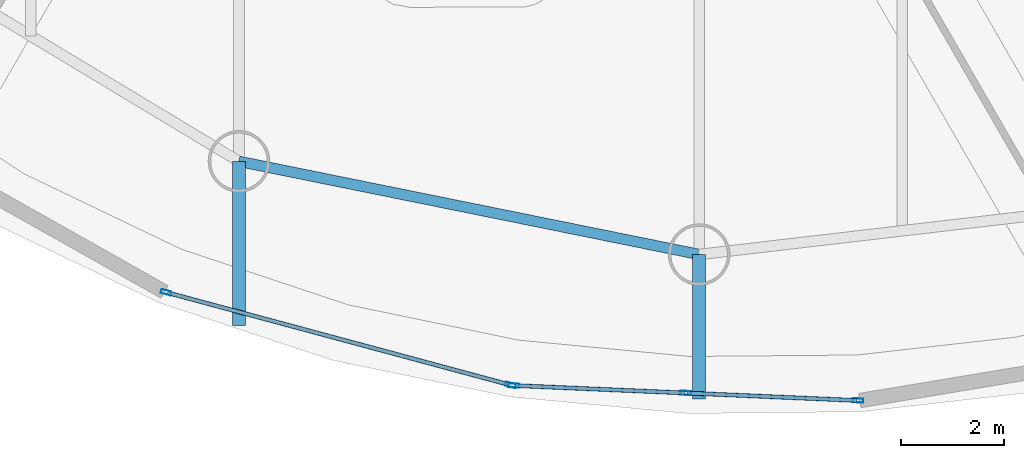
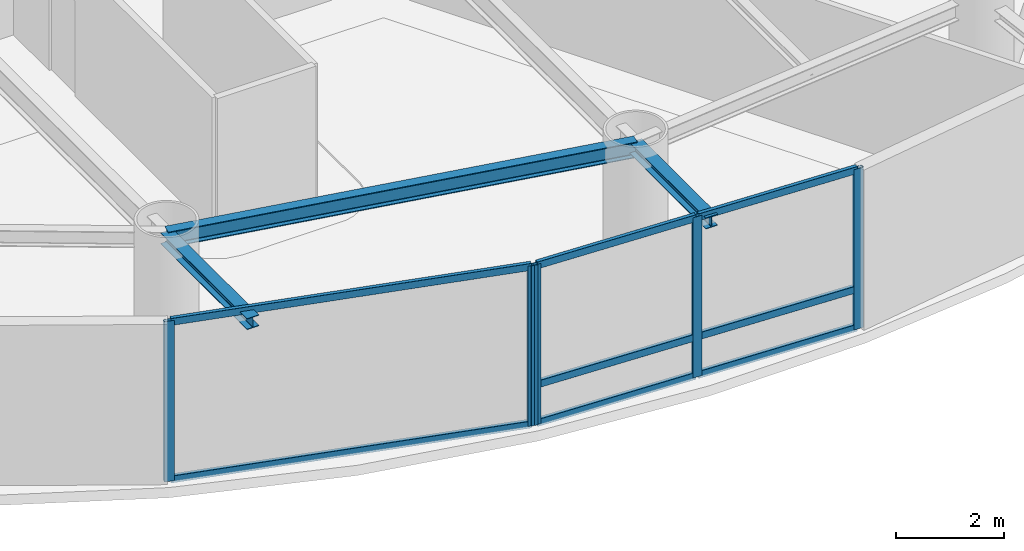
# One storey, part 2 of 20: 13 members, 3 beams, 2 elements without a shape of their own.
"""IFC4 building model written with IfcOpenShell, lengths in metres."""

from ifc_helpers import new_model, si_unit, direction, frame, origin, origin_2d, place, context, subcontext, project, spatial, hollow_rectangle, i_section, extrude, material, layer, layer_set, material_profile, profile_set, type_object, element, aggregate, save


model = new_model("IFC4")

# Units and contexts
model_context = context("Model", 3, precision=1e-05, world=origin(), true_north=direction((0.0, 1.0)))
body_context = subcontext(model_context, "Body", "Model", "MODEL_VIEW")
ifc_project = project(units=[si_unit("LENGTHUNIT", "METRE"), si_unit("AREAUNIT", "SQUARE_METRE"), si_unit("VOLUMEUNIT", "CUBIC_METRE"), si_unit("PLANEANGLEUNIT", "RADIAN"), si_unit("MASSUNIT", "GRAM", prefix="KILO")], contexts=[model_context])

# Site, building, storey
site_placement = place(None, origin())
site = spatial("IfcSite", under=ifc_project, at=site_placement, CompositionType="ELEMENT")
building_placement = place(site_placement, origin())
building = spatial("IfcBuilding", under=site, at=building_placement, Name="Bramvorn Convention Spire", CompositionType="ELEMENT")
storey_placement = place(building_placement, frame((0.0, 0.0, 178.89990234375)))
storey = spatial("IfcBuildingStorey", under=building, at=storey_placement, Name="L45", CompositionType="ELEMENT", Elevation=178.89990234375)

# Beams
ifc_material_1 = material(Name="Steel CSA G40.21 Grade 350 (350W)", Category="steel")
ifc_material_profile_1 = material_profile(ifc_material_1, i_section(OverallWidth=0.25390625, OverallDepth=0.2529296875, WebThickness=0.008544921875, FlangeThickness=0.01416015625, FilletRadius=0.011962890625, at=origin_2d()))
ifc_profile_set_1 = profile_set([ifc_material_profile_1], Name="Steel CSA G40.21 Grade 350 (350W) - W250X73")
beam_type_1 = type_object("IfcBeamType", Name="BM-W250X73", PredefinedType="BEAM", material=ifc_profile_set_1)
beam_1_placement = place(storey_placement, frame((33.61083984375, 7.227783203125, 3.45849609375), z_axis=(0.0, -1.0, 0.0), x_axis=(1.0, 0.0, 0.0)))
element("IfcBeam", 1, at=beam_1_placement, inside=storey, type_object=beam_type_1, Name="L45 slab-edge cantilever tip beam MC14", PredefinedType="BEAM", context=body_context, shape_type="SweptSolid", body=[
    extrude(i_section(OverallWidth=0.25390625, OverallDepth=0.2529296875, WebThickness=0.008544921875, FlangeThickness=0.01416015625, FilletRadius=0.011962890625, at=origin_2d()), origin(), (0.0, 0.0, 1.0), 3.199951171875),
])
beam_2_placement = place(storey_placement, frame((42.583740234375, 5.41162109375, 3.45849609375), z_axis=(0.0, -1.0, 0.0), x_axis=(1.0, 0.0, 0.0)))
element("IfcBeam", 2, at=beam_2_placement, inside=storey, type_object=beam_type_1, Name="L45 slab-edge cantilever tip beam MC15", PredefinedType="BEAM", context=body_context, shape_type="SweptSolid", body=[
    extrude(i_section(OverallWidth=0.25390625, OverallDepth=0.2529296875, WebThickness=0.008544921875, FlangeThickness=0.01416015625, FilletRadius=0.011962890625, at=origin_2d()), origin(), (0.0, 0.0, 1.0), 2.81640625),
])
ifc_material_profile_2 = material_profile(ifc_material_1, i_section(OverallWidth=0.205078125, OverallDepth=0.35400390625, WebThickness=0.009521484375, FlangeThickness=0.016845703125, FilletRadius=0.014892578125, at=origin_2d()))
ifc_profile_set_2 = profile_set([ifc_material_profile_2], Name="Steel CSA G40.21 Grade 350 (350W) - W360X79")
beam_type_2 = type_object("IfcBeamType", Name="BM-W360X79", PredefinedType="JOIST", material=ifc_profile_set_2)
beam_3_placement = place(storey_placement, frame((33.61083984375, 7.227783203125, 3.443115234375), z_axis=(0.980124701676, -0.198382381187, 0.0), x_axis=(0.198382381187, 0.980124701676, 0.0)))
element("IfcBeam", 3, at=beam_3_placement, inside=storey, type_object=beam_type_2, Name="L45 mega-column ring beam 14", PredefinedType="JOIST", context=body_context, shape_type="SweptSolid", body=[
    extrude(i_section(OverallWidth=0.205078125, OverallDepth=0.35400390625, WebThickness=0.009521484375, FlangeThickness=0.016845703125, FilletRadius=0.014892578125, at=origin_2d()), origin(), (0.0, 0.0, 1.0), 9.15478515625),
])

# Curtain wall, members
ifc_material_2 = material(Name="Anodised Bronze Unitised Curtain Wall", Category="aluminium")
ifc_layer = layer(ifc_material_2, 0.179931640625)
ifc_layer_set = layer_set([ifc_layer], Name="Anodised Bronze Unitised Curtain Wall - CW-OFF-FRIT")
curtain_wall_type = type_object("IfcCurtainWallType", Name="CW-OFF-FRIT", PredefinedType="USERDEFINED", material=ifc_layer_set)
curtain_wall_1_placement = place(storey_placement, origin())
curtain_wall_1 = element("IfcCurtainWall", 4, at=curtain_wall_1_placement, inside=storey, type_object=curtain_wall_type, Name="L45 fritted glass curtain wall 20", ObjectType="UNITISED CURTAIN WALL", PredefinedType="USERDEFINED")
ifc_material_3 = material(Name="Anodised Bronze Aluminium 6063-T6", Category="aluminium")
ifc_material_profile_3 = material_profile(ifc_material_3, hollow_rectangle(XDim=0.080078125, YDim=0.199951171875, WallThickness=0.00390625, InnerFilletRadius=0.0009765625, OuterFilletRadius=0.00390625, at=origin_2d()))
ifc_profile_set_3 = profile_set([ifc_material_profile_3], Name="Anodised Bronze Aluminium 6063-T6 - CWM80X200")
member_type_1 = type_object("IfcMemberType", Name="CW-MUL-180", PredefinedType="MULLION", material=ifc_profile_set_3)
member_1_placement = place(storey_placement, frame((38.9072265625, 2.866455078125, 0.0), z_axis=(0.0, 0.0, 1.0), x_axis=(-0.259831404738, -0.965653996581, 0.0)))
member_1 = element("IfcMember", 5, at=member_1_placement, type_object=member_type_1, Name="CW3 mullion 1", PredefinedType="MULLION", context=body_context, shape_type="SweptSolid", body=[
    extrude(hollow_rectangle(XDim=0.080078125, YDim=0.199951171875, WallThickness=0.00390625, InnerFilletRadius=0.0009765625, OuterFilletRadius=0.00390625, at=origin_2d()), origin(), (0.0, 0.0, 1.0), 3.6201171875),
])
member_2_placement = place(storey_placement, frame((32.1884765625, 4.67431640625, 0.0), z_axis=(0.0, 0.0, 1.0), x_axis=(-0.259831404738, -0.965653996581, 0.0)))
member_2 = element("IfcMember", 6, at=member_2_placement, type_object=member_type_1, Name="CW3 mullion 2", PredefinedType="MULLION", context=body_context, shape_type="SweptSolid", body=[
    extrude(hollow_rectangle(XDim=0.080078125, YDim=0.199951171875, WallThickness=0.00390625, InnerFilletRadius=0.0009765625, OuterFilletRadius=0.00390625, at=origin_2d()), origin(), (0.0, 0.0, 1.0), 3.6201171875),
])

curtain_wall_2_placement = place(storey_placement, origin())
curtain_wall_2 = element("IfcCurtainWall", 7, at=curtain_wall_2_placement, inside=storey, type_object=curtain_wall_type, Name="L45 fritted glass curtain wall 21", ObjectType="UNITISED CURTAIN WALL", PredefinedType="USERDEFINED")
member_3_placement = place(storey_placement, frame((45.684326171875, 2.564453125, 0.0), z_axis=(0.0, 0.0, 1.0), x_axis=(-0.043554916664, -0.999051034349, 0.0)))
member_3 = element("IfcMember", 8, at=member_3_placement, type_object=member_type_1, Name="CW3 mullion 1", PredefinedType="MULLION", context=body_context, shape_type="SweptSolid", body=[
    extrude(hollow_rectangle(XDim=0.080078125, YDim=0.199951171875, WallThickness=0.00390625, InnerFilletRadius=0.0009765625, OuterFilletRadius=0.00390625, at=origin_2d()), origin(), (0.0, 0.0, 1.0), 3.6201171875),
])
member_4_placement = place(storey_placement, frame((42.3251953125, 2.7109375, 0.0), z_axis=(0.0, 0.0, 1.0), x_axis=(-0.043554916664, -0.999051034349, 0.0)))
member_4 = element("IfcMember", 9, at=member_4_placement, type_object=member_type_1, Name="CW3 mullion 2", PredefinedType="MULLION", context=body_context, shape_type="SweptSolid", body=[
    extrude(hollow_rectangle(XDim=0.080078125, YDim=0.199951171875, WallThickness=0.00390625, InnerFilletRadius=0.0009765625, OuterFilletRadius=0.00390625, at=origin_2d()), origin(), (0.0, 0.0, 1.0), 3.6201171875),
])
member_5_placement = place(storey_placement, frame((38.966064453125, 2.857421875, 0.0), z_axis=(0.0, 0.0, 1.0), x_axis=(-0.043554916664, -0.999051034349, 0.0)))
member_5 = element("IfcMember", 10, at=member_5_placement, type_object=member_type_1, Name="CW3 mullion 3", PredefinedType="MULLION", context=body_context, shape_type="SweptSolid", body=[
    extrude(hollow_rectangle(XDim=0.080078125, YDim=0.199951171875, WallThickness=0.00390625, InnerFilletRadius=0.0009765625, OuterFilletRadius=0.00390625, at=origin_2d()), origin(), (0.0, 0.0, 1.0), 3.6201171875),
])

# Member
ifc_material_profile_4 = material_profile(ifc_material_3, hollow_rectangle(XDim=0.080078125, YDim=0.159912109375, WallThickness=0.00390625, InnerFilletRadius=0.0009765625, OuterFilletRadius=0.00390625, at=origin_2d()))
ifc_profile_set_4 = profile_set([ifc_material_profile_4], Name="Anodised Bronze Aluminium 6063-T6 - CWT80X160")
member_type_2 = type_object("IfcMemberType", Name="CW-TRN-150", PredefinedType="USERDEFINED", material=ifc_profile_set_4)
member_6_placement = place(storey_placement, frame((38.878173828125, 2.874267578125, 0.030029296875), z_axis=(-0.96565265747, 0.259836381442, 0.0), x_axis=(-0.259836381442, -0.96565265747, 0.0)))
member_6 = element("IfcMember", 11, at=member_6_placement, type_object=member_type_2, Name="CW3 transom 1.1", ObjectType="TRANSOM", PredefinedType="USERDEFINED", context=body_context, shape_type="SweptSolid", body=[
    extrude(hollow_rectangle(XDim=0.080078125, YDim=0.159912109375, WallThickness=0.00390625, InnerFilletRadius=0.0009765625, OuterFilletRadius=0.00390625, at=origin_2d()), origin(), (0.0, 0.0, 1.0), 6.8974609375),
])

member_7_placement = place(storey_placement, frame((38.878173828125, 2.874267578125, 3.590087890625), z_axis=(-0.96565265747, 0.259836381442, 0.0), x_axis=(-0.259836381442, -0.96565265747, 0.0)))
member_7 = element("IfcMember", 12, at=member_7_placement, type_object=member_type_2, Name="CW3 transom 1.2", ObjectType="TRANSOM", PredefinedType="USERDEFINED", context=body_context, shape_type="SweptSolid", body=[
    extrude(hollow_rectangle(XDim=0.080078125, YDim=0.159912109375, WallThickness=0.00390625, InnerFilletRadius=0.0009765625, OuterFilletRadius=0.00390625, at=origin_2d()), origin(), (0.0, 0.0, 1.0), 6.8974609375),
])

aggregate(curtain_wall_1, [member_1, member_2, member_6, member_7])

member_8_placement = place(storey_placement, frame((45.654296875, 2.56591796875, 0.030029296875), z_axis=(-0.999051409553, 0.043546309497, 0.0), x_axis=(-0.043546309497, -0.999051409553, 0.0)))
member_8 = element("IfcMember", 13, at=member_8_placement, type_object=member_type_2, Name="CW3 transom 1.1", ObjectType="TRANSOM", PredefinedType="USERDEFINED", context=body_context, shape_type="SweptSolid", body=[
    extrude(hollow_rectangle(XDim=0.080078125, YDim=0.159912109375, WallThickness=0.00390625, InnerFilletRadius=0.0009765625, OuterFilletRadius=0.00390625, at=origin_2d()), origin(), (0.0, 0.0, 1.0), 3.30224609375),
])

member_9_placement = place(storey_placement, frame((45.654296875, 2.56591796875, 0.900146484375), z_axis=(-0.999051409553, 0.043546309497, 0.0), x_axis=(-0.043546309497, -0.999051409553, 0.0)))
member_9 = element("IfcMember", 14, at=member_9_placement, type_object=member_type_2, Name="CW3 transom 1.2", ObjectType="TRANSOM", PredefinedType="USERDEFINED", context=body_context, shape_type="SweptSolid", body=[
    extrude(hollow_rectangle(XDim=0.080078125, YDim=0.159912109375, WallThickness=0.00390625, InnerFilletRadius=0.0009765625, OuterFilletRadius=0.00390625, at=origin_2d()), origin(), (0.0, 0.0, 1.0), 3.30224609375),
])

member_10_placement = place(storey_placement, frame((45.654296875, 2.56591796875, 3.590087890625), z_axis=(-0.999051409553, 0.043546309497, 0.0), x_axis=(-0.043546309497, -0.999051409553, 0.0)))
member_10 = element("IfcMember", 15, at=member_10_placement, type_object=member_type_2, Name="CW3 transom 1.3", ObjectType="TRANSOM", PredefinedType="USERDEFINED", context=body_context, shape_type="SweptSolid", body=[
    extrude(hollow_rectangle(XDim=0.080078125, YDim=0.159912109375, WallThickness=0.00390625, InnerFilletRadius=0.0009765625, OuterFilletRadius=0.00390625, at=origin_2d()), origin(), (0.0, 0.0, 1.0), 3.30224609375),
])

member_11_placement = place(storey_placement, frame((42.295166015625, 2.712158203125, 0.030029296875), z_axis=(-0.999048190399, 0.043620101557, 0.0), x_axis=(-0.043620101557, -0.999048190399, 0.0)))
member_11 = element("IfcMember", 16, at=member_11_placement, type_object=member_type_2, Name="CW3 transom 2.1", ObjectType="TRANSOM", PredefinedType="USERDEFINED", context=body_context, shape_type="SweptSolid", body=[
    extrude(hollow_rectangle(XDim=0.080078125, YDim=0.159912109375, WallThickness=0.00390625, InnerFilletRadius=0.0009765625, OuterFilletRadius=0.00390625, at=origin_2d()), origin(), (0.0, 0.0, 1.0), 3.30224609375),
])

member_12_placement = place(storey_placement, frame((42.295166015625, 2.712158203125, 0.900146484375), z_axis=(-0.999048190399, 0.043620101557, 0.0), x_axis=(-0.043620101557, -0.999048190399, 0.0)))
member_12 = element("IfcMember", 17, at=member_12_placement, type_object=member_type_2, Name="CW3 transom 2.2", ObjectType="TRANSOM", PredefinedType="USERDEFINED", context=body_context, shape_type="SweptSolid", body=[
    extrude(hollow_rectangle(XDim=0.080078125, YDim=0.159912109375, WallThickness=0.00390625, InnerFilletRadius=0.0009765625, OuterFilletRadius=0.00390625, at=origin_2d()), origin(), (0.0, 0.0, 1.0), 3.30224609375),
])

member_13_placement = place(storey_placement, frame((42.295166015625, 2.712158203125, 3.590087890625), z_axis=(-0.999048190399, 0.043620101557, 0.0), x_axis=(-0.043620101557, -0.999048190399, 0.0)))
member_13 = element("IfcMember", 18, at=member_13_placement, type_object=member_type_2, Name="CW3 transom 2.3", ObjectType="TRANSOM", PredefinedType="USERDEFINED", context=body_context, shape_type="SweptSolid", body=[
    extrude(hollow_rectangle(XDim=0.080078125, YDim=0.159912109375, WallThickness=0.00390625, InnerFilletRadius=0.0009765625, OuterFilletRadius=0.00390625, at=origin_2d()), origin(), (0.0, 0.0, 1.0), 3.30224609375),
])

aggregate(curtain_wall_2, [member_3, member_4, member_5, member_8, member_9, member_10, member_11, member_12, member_13])

save(model, "model.ifc")
